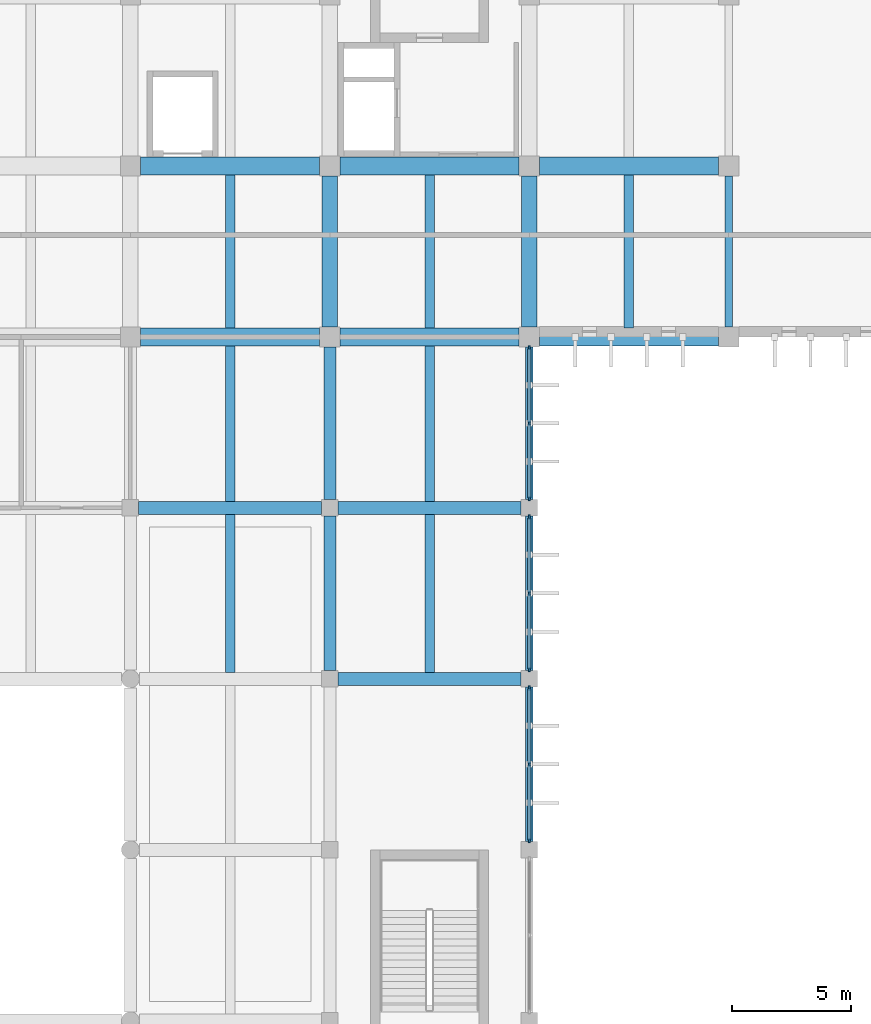
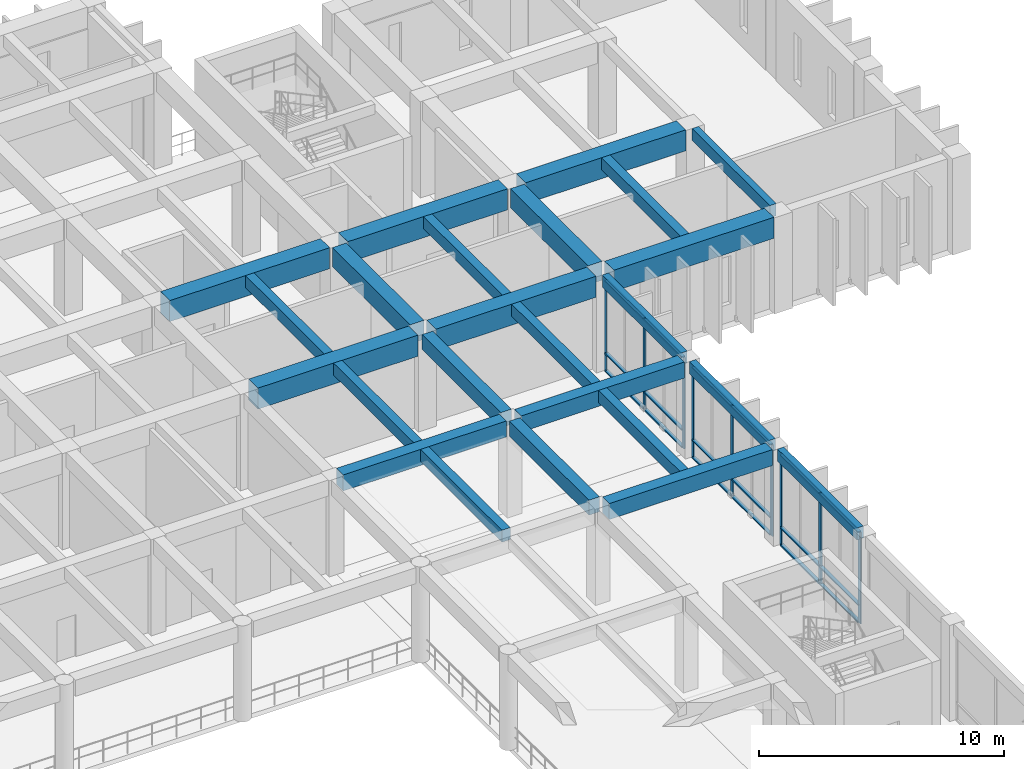
# One storey, part 21 of 51: 27 members, 24 beams, 3 elements without a shape of their own.
"""IFC4 building model written with IfcOpenShell, lengths in metres."""

from ifc_helpers import new_model, si_unit, direction, frame, origin, origin_2d, place, context, subcontext, project, spatial, rectangle, extrude, material, material_profile, profile_set, type_object, element, aggregate, save


model = new_model("IFC4")

# Units and contexts
model_context = context("Model", 3, precision=1e-05, world=origin(), true_north=direction((0.0, 1.0)))
body_context = subcontext(model_context, "Body", "Model", "MODEL_VIEW")
ifc_project = project(units=[si_unit("LENGTHUNIT", "METRE"), si_unit("AREAUNIT", "SQUARE_METRE"), si_unit("VOLUMEUNIT", "CUBIC_METRE"), si_unit("PLANEANGLEUNIT", "RADIAN"), si_unit("MASSUNIT", "GRAM", prefix="KILO")], contexts=[model_context])

# Site, building, storey
site_placement = place(None, origin())
site = spatial("IfcSite", under=ifc_project, at=site_placement, CompositionType="ELEMENT")
building_placement = place(site_placement, origin())
building = spatial("IfcBuilding", under=site, at=building_placement, Name="Kenerak Square Central Library", CompositionType="ELEMENT")
storey_placement = place(building_placement, frame((0.0, 0.0, 9.60009765625)))
storey = spatial("IfcBuildingStorey", under=building, at=storey_placement, Name="L02", CompositionType="ELEMENT", Elevation=9.60009765625)

# Beams
ifc_material_1 = material(Name="Concrete C45/55", Category="concrete")
ifc_material_profile_1 = material_profile(ifc_material_1, rectangle(XDim=0.64990234375, YDim=0.949951171875, at=origin_2d()), Name="RC 650x950")
ifc_profile_set_1 = profile_set([ifc_material_profile_1], Name="Concrete C45/55")
beam_type_1 = type_object("IfcBeamType", Name="Book Stack Girder B-02 RC 650x950 C45/55", PredefinedType="BEAM", material=ifc_profile_set_1)
for number, where, z_axis, x_axis, name in (
    (1, (108.800048828125, 89.22509765625, 4.324951171875), (0.0, 1.0, 0.0), (-1.0, 0.0, 0.0), "Beam B-02 L02 1339"),
    (2, (117.199951171875, 89.22509765625, 4.324951171875), (0.0, 1.0, 0.0), (-1.0, 0.0, 0.0), "Beam B-02 L02 1353"),
):
    element("IfcBeam", number, at=place(storey_placement, frame(where, z_axis=z_axis, x_axis=x_axis)), inside=storey, type_object=beam_type_1, Name=name, PredefinedType="BEAM", context=body_context, shape_type="SweptSolid", body=[
        extrude(rectangle(XDim=0.64990234375, YDim=0.949951171875, at=origin_2d()), origin(), (0.0, 0.0, 1.0), 6.349853515625),
    ])
ifc_material_profile_2 = material_profile(ifc_material_1, rectangle(XDim=0.75, YDim=1.050048828125, at=origin_2d()), Name="RC 750x1050")
ifc_profile_set_2 = profile_set([ifc_material_profile_2], Name="Concrete C45/55")
beam_type_2 = type_object("IfcBeamType", Name="Compact Stack Girder B-01 RC 750x1050 C45/55", PredefinedType="BEAM", material=ifc_profile_set_2)
beam_1_placement = place(storey_placement, frame((100.824951171875, 88.800048828125, 4.27490234375), z_axis=(1.0, 0.0, 0.0), x_axis=(0.0, 1.0, 0.0)))
element("IfcBeam", 3, at=beam_1_placement, inside=storey, type_object=beam_type_2, Name="Beam B-01 L02 1247", PredefinedType="BEAM", context=body_context, shape_type="SweptSolid", body=[
    extrude(rectangle(XDim=0.75, YDim=1.050048828125, at=origin_2d()), origin(), (0.0, 0.0, 1.0), 7.550048828125),
])
beam_2_placement = place(storey_placement, frame((109.22509765625, 88.800048828125, 4.27490234375), z_axis=(1.0, 0.0, 0.0), x_axis=(0.0, 1.0, 0.0)))
element("IfcBeam", 4, at=beam_2_placement, inside=storey, type_object=beam_type_2, Name="Beam B-01 L02 1248", PredefinedType="BEAM", context=body_context, shape_type="SweptSolid", body=[
    extrude(rectangle(XDim=0.75, YDim=1.050048828125, at=origin_2d()), origin(), (0.0, 0.0, 1.0), 7.5498046875),
])
for number, where, z_axis, x_axis, name in (
    (5, (117.625, 88.800048828125, 4.27490234375), (1.0, 0.0, 0.0), (0.0, 1.0, 0.0), "Beam B-01 L02 1249"),
    (6, (100.824951171875, 96.0, 4.27490234375), (1.0, 0.0, 0.0), (0.0, 1.0, 0.0), "Beam B-01 L02 1255"),
):
    element("IfcBeam", number, at=place(storey_placement, frame(where, z_axis=z_axis, x_axis=x_axis)), inside=storey, type_object=beam_type_2, Name=name, PredefinedType="BEAM", context=body_context, shape_type="SweptSolid", body=[
        extrude(rectangle(XDim=0.75, YDim=1.050048828125, at=origin_2d()), origin(), (0.0, 0.0, 1.0), 7.550048828125),
    ])
beam_3_placement = place(storey_placement, frame((109.22509765625, 96.0, 4.27490234375), z_axis=(1.0, 0.0, 0.0), x_axis=(0.0, 1.0, 0.0)))
element("IfcBeam", 7, at=beam_3_placement, inside=storey, type_object=beam_type_2, Name="Beam B-01 L02 1256", PredefinedType="BEAM", context=body_context, shape_type="SweptSolid", body=[
    extrude(rectangle(XDim=0.75, YDim=1.050048828125, at=origin_2d()), origin(), (0.0, 0.0, 1.0), 7.5498046875),
])
beam_4_placement = place(storey_placement, frame((117.625, 96.0, 4.27490234375), z_axis=(1.0, 0.0, 0.0), x_axis=(0.0, 1.0, 0.0)))
element("IfcBeam", 8, at=beam_4_placement, inside=storey, type_object=beam_type_2, Name="Beam B-01 L02 1257", PredefinedType="BEAM", context=body_context, shape_type="SweptSolid", body=[
    extrude(rectangle(XDim=0.75, YDim=1.050048828125, at=origin_2d()), origin(), (0.0, 0.0, 1.0), 7.550048828125),
])
ifc_material_2 = material(Name="Concrete C40/50", Category="concrete")
ifc_material_profile_3 = material_profile(ifc_material_2, rectangle(XDim=0.300048828125, YDim=0.60009765625, at=origin_2d()), Name="RC 300x600")
ifc_profile_set_3 = profile_set([ifc_material_profile_3], Name="Concrete C40/50")
beam_type_3 = type_object("IfcBeamType", Name="Courtyard Spandrel Beam SP-02 RC 300x600 C40/50", PredefinedType="SPANDREL", material=ifc_profile_set_3)
for number, where, z_axis, x_axis, name in (
    (9, (117.199951171875, 67.550048828125, 4.5), (0.0, 1.0, 0.0), (-1.0, 0.0, 0.0), "Beam SP-02 L02 1350"),
    (10, (117.199951171875, 74.75, 4.5), (0.0, 1.0, 0.0), (-1.0, 0.0, 0.0), "Beam SP-02 L02 1351"),
):
    element("IfcBeam", number, at=place(storey_placement, frame(where, z_axis=z_axis, x_axis=x_axis)), inside=storey, type_object=beam_type_3, Name=name, PredefinedType="SPANDREL", context=body_context, shape_type="SweptSolid", body=[
        extrude(rectangle(XDim=0.300048828125, YDim=0.60009765625, at=origin_2d()), origin(), (0.0, 0.0, 1.0), 6.5),
    ])
beam_5_placement = place(storey_placement, frame((117.199951171875, 81.949951171875, 4.5), z_axis=(0.0, 1.0, 0.0), x_axis=(-1.0, 0.0, 0.0)))
element("IfcBeam", 11, at=beam_5_placement, inside=storey, type_object=beam_type_3, Name="Beam SP-02 L02 1352", PredefinedType="SPANDREL", context=body_context, shape_type="SweptSolid", body=[
    extrude(rectangle(XDim=0.300048828125, YDim=0.60009765625, at=origin_2d()), origin(), (0.0, 0.0, 1.0), 6.425048828125),
])
beam_6_placement = place(storey_placement, frame((125.60009765625, 89.22509765625, 4.5), z_axis=(0.0, 1.0, 0.0), x_axis=(-1.0, 0.0, 0.0)))
element("IfcBeam", 12, at=beam_6_placement, inside=storey, type_object=beam_type_3, Name="Beam SP-02 L02 1359", PredefinedType="SPANDREL", context=body_context, shape_type="SweptSolid", body=[
    extrude(rectangle(XDim=0.300048828125, YDim=0.60009765625, at=origin_2d()), origin(), (0.0, 0.0, 1.0), 6.349853515625),
])

# Curtain wall, members
ifc_material_3 = material(Name="Anodised aluminium and solar-control low-E glazing", Category="aluminium")
curtain_wall_type_1 = type_object("IfcCurtainWallType", Name="Curtain Wall CW-V4-64x45 6425x4550", PredefinedType="USERDEFINED", material=ifc_material_3)
curtain_wall_1_placement = place(storey_placement, origin())
curtain_wall_1 = element("IfcCurtainWall", 13, at=curtain_wall_1_placement, inside=storey, type_object=curtain_wall_type_1, Name="Curtain Wall CW-V4-64x45 L02 0082", ObjectType="CURTAIN WALL", PredefinedType="USERDEFINED")
ifc_material_4 = material(Name="Anodised aluminium 6063-T6", Category="aluminium")
ifc_material_profile_4 = material_profile(ifc_material_4, rectangle(XDim=0.06494140625, YDim=0.179931640625, at=origin_2d()), Name="AL MULLION 65x180")
ifc_profile_set_4 = profile_set([ifc_material_profile_4], Name="Anodised aluminium 6063-T6")
member_type_1 = type_object("IfcMemberType", Name="Curtain Mullion CM-01 65x180", PredefinedType="MULLION", material=ifc_profile_set_4)
member_1_placement = place(storey_placement, frame((117.199951171875, 88.342529296875, 0.0), z_axis=(0.0, 0.0, 1.0), x_axis=(1.0, 0.0, 0.0)))
member_1 = element("IfcMember", 14, at=member_1_placement, type_object=member_type_1, Name="CW-V4-64x45 Mullion 1", PredefinedType="MULLION", context=body_context, shape_type="SweptSolid", body=[
    extrude(rectangle(XDim=0.06494140625, YDim=0.179931640625, at=origin_2d()), origin(), (0.0, 0.0, 1.0), 4.5498046875),
])
member_2_placement = place(storey_placement, frame((117.199951171875, 85.16259765625, 0.0), z_axis=(0.0, 0.0, 1.0), x_axis=(1.0, 0.0, 0.0)))
member_2 = element("IfcMember", 15, at=member_2_placement, type_object=member_type_1, Name="CW-V4-64x45 Mullion 2", PredefinedType="MULLION", context=body_context, shape_type="SweptSolid", body=[
    extrude(rectangle(XDim=0.06494140625, YDim=0.179931640625, at=origin_2d()), origin(), (0.0, 0.0, 1.0), 4.5498046875),
])
member_3_placement = place(storey_placement, frame((117.199951171875, 81.982421875, 0.0), z_axis=(0.0, 0.0, 1.0), x_axis=(1.0, 0.0, 0.0)))
member_3 = element("IfcMember", 16, at=member_3_placement, type_object=member_type_1, Name="CW-V4-64x45 Mullion 3", PredefinedType="MULLION", context=body_context, shape_type="SweptSolid", body=[
    extrude(rectangle(XDim=0.06494140625, YDim=0.179931640625, at=origin_2d()), origin(), (0.0, 0.0, 1.0), 4.5498046875),
])

curtain_wall_type_2 = type_object("IfcCurtainWallType", Name="Curtain Wall CW-V4-65x45 6500x4550", PredefinedType="USERDEFINED", material=ifc_material_3)
curtain_wall_2_placement = place(storey_placement, origin())
curtain_wall_2 = element("IfcCurtainWall", 17, at=curtain_wall_2_placement, inside=storey, type_object=curtain_wall_type_2, Name="Curtain Wall CW-V4-65x45 L02 0083", ObjectType="CURTAIN WALL", PredefinedType="USERDEFINED")
member_4_placement = place(storey_placement, frame((117.199951171875, 81.217529296875, 0.0), z_axis=(0.0, 0.0, 1.0), x_axis=(1.0, 0.0, 0.0)))
member_4 = element("IfcMember", 18, at=member_4_placement, type_object=member_type_1, Name="CW-V4-65x45 Mullion 1", PredefinedType="MULLION", context=body_context, shape_type="SweptSolid", body=[
    extrude(rectangle(XDim=0.06494140625, YDim=0.179931640625, at=origin_2d()), origin(), (0.0, 0.0, 1.0), 4.5498046875),
])
member_5_placement = place(storey_placement, frame((117.199951171875, 78.0, 0.0), z_axis=(0.0, 0.0, 1.0), x_axis=(1.0, 0.0, 0.0)))
member_5 = element("IfcMember", 19, at=member_5_placement, type_object=member_type_1, Name="CW-V4-65x45 Mullion 2", PredefinedType="MULLION", context=body_context, shape_type="SweptSolid", body=[
    extrude(rectangle(XDim=0.06494140625, YDim=0.179931640625, at=origin_2d()), origin(), (0.0, 0.0, 1.0), 4.5498046875),
])
member_6_placement = place(storey_placement, frame((117.199951171875, 74.782470703125, 0.0), z_axis=(0.0, 0.0, 1.0), x_axis=(1.0, 0.0, 0.0)))
member_6 = element("IfcMember", 20, at=member_6_placement, type_object=member_type_1, Name="CW-V4-65x45 Mullion 3", PredefinedType="MULLION", context=body_context, shape_type="SweptSolid", body=[
    extrude(rectangle(XDim=0.06494140625, YDim=0.179931640625, at=origin_2d()), origin(), (0.0, 0.0, 1.0), 4.5498046875),
])

curtain_wall_3_placement = place(storey_placement, origin())
curtain_wall_3 = element("IfcCurtainWall", 21, at=curtain_wall_3_placement, inside=storey, type_object=curtain_wall_type_2, Name="Curtain Wall CW-V4-65x45 L02 0084", ObjectType="CURTAIN WALL", PredefinedType="USERDEFINED")
member_7_placement = place(storey_placement, frame((117.199951171875, 74.017578125, 0.0), z_axis=(0.0, 0.0, 1.0), x_axis=(1.0, 0.0, 0.0)))
member_7 = element("IfcMember", 22, at=member_7_placement, type_object=member_type_1, Name="CW-V4-65x45 Mullion 1", PredefinedType="MULLION", context=body_context, shape_type="SweptSolid", body=[
    extrude(rectangle(XDim=0.06494140625, YDim=0.179931640625, at=origin_2d()), origin(), (0.0, 0.0, 1.0), 4.5498046875),
])
member_8_placement = place(storey_placement, frame((117.199951171875, 70.800048828125, 0.0), z_axis=(0.0, 0.0, 1.0), x_axis=(1.0, 0.0, 0.0)))
member_8 = element("IfcMember", 23, at=member_8_placement, type_object=member_type_1, Name="CW-V4-65x45 Mullion 2", PredefinedType="MULLION", context=body_context, shape_type="SweptSolid", body=[
    extrude(rectangle(XDim=0.06494140625, YDim=0.179931640625, at=origin_2d()), origin(), (0.0, 0.0, 1.0), 4.5498046875),
])
member_9_placement = place(storey_placement, frame((117.199951171875, 67.58251953125, 0.0), z_axis=(0.0, 0.0, 1.0), x_axis=(1.0, 0.0, 0.0)))
member_9 = element("IfcMember", 24, at=member_9_placement, type_object=member_type_1, Name="CW-V4-65x45 Mullion 3", PredefinedType="MULLION", context=body_context, shape_type="SweptSolid", body=[
    extrude(rectangle(XDim=0.06494140625, YDim=0.179931640625, at=origin_2d()), origin(), (0.0, 0.0, 1.0), 4.5498046875),
])

# Member
ifc_material_profile_5 = material_profile(ifc_material_4, rectangle(XDim=0.159912109375, YDim=0.06494140625, at=origin_2d()), Name="AL TRANSOM 160x65")
ifc_profile_set_5 = profile_set([ifc_material_profile_5], Name="Anodised aluminium 6063-T6")
member_type_2 = type_object("IfcMemberType", Name="Curtain Transom CT-11 160x65", PredefinedType="USERDEFINED", material=ifc_profile_set_5)
member_10_placement = place(storey_placement, frame((117.199951171875, 88.31005859375, 0.032470703125), z_axis=(0.0, -1.0, 0.0), x_axis=(1.0, 0.0, 0.0)))
member_10 = element("IfcMember", 25, at=member_10_placement, type_object=member_type_2, Name="CW-V4-64x45 Transom 1.1", ObjectType="TRANSOM", PredefinedType="USERDEFINED", context=body_context, shape_type="SweptSolid", body=[
    extrude(rectangle(XDim=0.159912109375, YDim=0.06494140625, at=origin_2d()), origin(), (0.0, 0.0, 1.0), 3.114990234375),
])

member_11_placement = place(storey_placement, frame((117.199951171875, 88.31005859375, 0.89990234375), z_axis=(0.0, -1.0, 0.0), x_axis=(1.0, 0.0, 0.0)))
member_11 = element("IfcMember", 26, at=member_11_placement, type_object=member_type_2, Name="CW-V4-64x45 Transom 1.2", ObjectType="TRANSOM", PredefinedType="USERDEFINED", context=body_context, shape_type="SweptSolid", body=[
    extrude(rectangle(XDim=0.159912109375, YDim=0.06494140625, at=origin_2d()), origin(), (0.0, 0.0, 1.0), 3.114990234375),
])

member_12_placement = place(storey_placement, frame((117.199951171875, 88.31005859375, 4.517333984375), z_axis=(0.0, -1.0, 0.0), x_axis=(1.0, 0.0, 0.0)))
member_12 = element("IfcMember", 27, at=member_12_placement, type_object=member_type_2, Name="CW-V4-64x45 Transom 1.3", ObjectType="TRANSOM", PredefinedType="USERDEFINED", context=body_context, shape_type="SweptSolid", body=[
    extrude(rectangle(XDim=0.159912109375, YDim=0.06494140625, at=origin_2d()), origin(), (0.0, 0.0, 1.0), 3.114990234375),
])

member_13_placement = place(storey_placement, frame((117.199951171875, 85.1298828125, 0.032470703125), z_axis=(0.0, -1.0, 0.0), x_axis=(1.0, 0.0, 0.0)))
member_13 = element("IfcMember", 28, at=member_13_placement, type_object=member_type_2, Name="CW-V4-64x45 Transom 2.1", ObjectType="TRANSOM", PredefinedType="USERDEFINED", context=body_context, shape_type="SweptSolid", body=[
    extrude(rectangle(XDim=0.159912109375, YDim=0.06494140625, at=origin_2d()), origin(), (0.0, 0.0, 1.0), 3.114990234375),
])

member_14_placement = place(storey_placement, frame((117.199951171875, 85.1298828125, 0.89990234375), z_axis=(0.0, -1.0, 0.0), x_axis=(1.0, 0.0, 0.0)))
member_14 = element("IfcMember", 29, at=member_14_placement, type_object=member_type_2, Name="CW-V4-64x45 Transom 2.2", ObjectType="TRANSOM", PredefinedType="USERDEFINED", context=body_context, shape_type="SweptSolid", body=[
    extrude(rectangle(XDim=0.159912109375, YDim=0.06494140625, at=origin_2d()), origin(), (0.0, 0.0, 1.0), 3.114990234375),
])

member_15_placement = place(storey_placement, frame((117.199951171875, 85.1298828125, 4.517333984375), z_axis=(0.0, -1.0, 0.0), x_axis=(1.0, 0.0, 0.0)))
member_15 = element("IfcMember", 30, at=member_15_placement, type_object=member_type_2, Name="CW-V4-64x45 Transom 2.3", ObjectType="TRANSOM", PredefinedType="USERDEFINED", context=body_context, shape_type="SweptSolid", body=[
    extrude(rectangle(XDim=0.159912109375, YDim=0.06494140625, at=origin_2d()), origin(), (0.0, 0.0, 1.0), 3.114990234375),
])

aggregate(curtain_wall_1, [member_1, member_2, member_3, member_10, member_11, member_12, member_13, member_14, member_15])

member_16_placement = place(storey_placement, frame((117.199951171875, 81.18505859375, 0.032470703125), z_axis=(0.0, -1.0, 0.0), x_axis=(1.0, 0.0, 0.0)))
member_16 = element("IfcMember", 31, at=member_16_placement, type_object=member_type_2, Name="CW-V4-65x45 Transom 1.1", ObjectType="TRANSOM", PredefinedType="USERDEFINED", context=body_context, shape_type="SweptSolid", body=[
    extrude(rectangle(XDim=0.159912109375, YDim=0.06494140625, at=origin_2d()), origin(), (0.0, 0.0, 1.0), 3.152587890625),
])

member_17_placement = place(storey_placement, frame((117.199951171875, 81.18505859375, 0.89990234375), z_axis=(0.0, -1.0, 0.0), x_axis=(1.0, 0.0, 0.0)))
member_17 = element("IfcMember", 32, at=member_17_placement, type_object=member_type_2, Name="CW-V4-65x45 Transom 1.2", ObjectType="TRANSOM", PredefinedType="USERDEFINED", context=body_context, shape_type="SweptSolid", body=[
    extrude(rectangle(XDim=0.159912109375, YDim=0.06494140625, at=origin_2d()), origin(), (0.0, 0.0, 1.0), 3.152587890625),
])

member_18_placement = place(storey_placement, frame((117.199951171875, 81.18505859375, 4.517333984375), z_axis=(0.0, -1.0, 0.0), x_axis=(1.0, 0.0, 0.0)))
member_18 = element("IfcMember", 33, at=member_18_placement, type_object=member_type_2, Name="CW-V4-65x45 Transom 1.3", ObjectType="TRANSOM", PredefinedType="USERDEFINED", context=body_context, shape_type="SweptSolid", body=[
    extrude(rectangle(XDim=0.159912109375, YDim=0.06494140625, at=origin_2d()), origin(), (0.0, 0.0, 1.0), 3.152587890625),
])

member_19_placement = place(storey_placement, frame((117.199951171875, 77.967529296875, 0.032470703125), z_axis=(0.0, -1.0, 0.0), x_axis=(1.0, 0.0, 0.0)))
member_19 = element("IfcMember", 34, at=member_19_placement, type_object=member_type_2, Name="CW-V4-65x45 Transom 2.1", ObjectType="TRANSOM", PredefinedType="USERDEFINED", context=body_context, shape_type="SweptSolid", body=[
    extrude(rectangle(XDim=0.159912109375, YDim=0.06494140625, at=origin_2d()), origin(), (0.0, 0.0, 1.0), 3.152587890625),
])

member_20_placement = place(storey_placement, frame((117.199951171875, 77.967529296875, 0.89990234375), z_axis=(0.0, -1.0, 0.0), x_axis=(1.0, 0.0, 0.0)))
member_20 = element("IfcMember", 35, at=member_20_placement, type_object=member_type_2, Name="CW-V4-65x45 Transom 2.2", ObjectType="TRANSOM", PredefinedType="USERDEFINED", context=body_context, shape_type="SweptSolid", body=[
    extrude(rectangle(XDim=0.159912109375, YDim=0.06494140625, at=origin_2d()), origin(), (0.0, 0.0, 1.0), 3.152587890625),
])

member_21_placement = place(storey_placement, frame((117.199951171875, 77.967529296875, 4.517333984375), z_axis=(0.0, -1.0, 0.0), x_axis=(1.0, 0.0, 0.0)))
member_21 = element("IfcMember", 36, at=member_21_placement, type_object=member_type_2, Name="CW-V4-65x45 Transom 2.3", ObjectType="TRANSOM", PredefinedType="USERDEFINED", context=body_context, shape_type="SweptSolid", body=[
    extrude(rectangle(XDim=0.159912109375, YDim=0.06494140625, at=origin_2d()), origin(), (0.0, 0.0, 1.0), 3.152587890625),
])

aggregate(curtain_wall_2, [member_4, member_5, member_6, member_16, member_17, member_18, member_19, member_20, member_21])

member_22_placement = place(storey_placement, frame((117.199951171875, 73.985107421875, 0.032470703125), z_axis=(0.0, -1.0, 0.0), x_axis=(1.0, 0.0, 0.0)))
member_22 = element("IfcMember", 37, at=member_22_placement, type_object=member_type_2, Name="CW-V4-65x45 Transom 1.1", ObjectType="TRANSOM", PredefinedType="USERDEFINED", context=body_context, shape_type="SweptSolid", body=[
    extrude(rectangle(XDim=0.159912109375, YDim=0.06494140625, at=origin_2d()), origin(), (0.0, 0.0, 1.0), 3.152587890625),
])

member_23_placement = place(storey_placement, frame((117.199951171875, 73.985107421875, 0.89990234375), z_axis=(0.0, -1.0, 0.0), x_axis=(1.0, 0.0, 0.0)))
member_23 = element("IfcMember", 38, at=member_23_placement, type_object=member_type_2, Name="CW-V4-65x45 Transom 1.2", ObjectType="TRANSOM", PredefinedType="USERDEFINED", context=body_context, shape_type="SweptSolid", body=[
    extrude(rectangle(XDim=0.159912109375, YDim=0.06494140625, at=origin_2d()), origin(), (0.0, 0.0, 1.0), 3.152587890625),
])

member_24_placement = place(storey_placement, frame((117.199951171875, 73.985107421875, 4.517333984375), z_axis=(0.0, -1.0, 0.0), x_axis=(1.0, 0.0, 0.0)))
member_24 = element("IfcMember", 39, at=member_24_placement, type_object=member_type_2, Name="CW-V4-65x45 Transom 1.3", ObjectType="TRANSOM", PredefinedType="USERDEFINED", context=body_context, shape_type="SweptSolid", body=[
    extrude(rectangle(XDim=0.159912109375, YDim=0.06494140625, at=origin_2d()), origin(), (0.0, 0.0, 1.0), 3.152587890625),
])

member_25_placement = place(storey_placement, frame((117.199951171875, 70.767578125, 0.032470703125), z_axis=(0.0, -1.0, 0.0), x_axis=(1.0, 0.0, 0.0)))
member_25 = element("IfcMember", 40, at=member_25_placement, type_object=member_type_2, Name="CW-V4-65x45 Transom 2.1", ObjectType="TRANSOM", PredefinedType="USERDEFINED", context=body_context, shape_type="SweptSolid", body=[
    extrude(rectangle(XDim=0.159912109375, YDim=0.06494140625, at=origin_2d()), origin(), (0.0, 0.0, 1.0), 3.152587890625),
])

member_26_placement = place(storey_placement, frame((117.199951171875, 70.767578125, 0.89990234375), z_axis=(0.0, -1.0, 0.0), x_axis=(1.0, 0.0, 0.0)))
member_26 = element("IfcMember", 41, at=member_26_placement, type_object=member_type_2, Name="CW-V4-65x45 Transom 2.2", ObjectType="TRANSOM", PredefinedType="USERDEFINED", context=body_context, shape_type="SweptSolid", body=[
    extrude(rectangle(XDim=0.159912109375, YDim=0.06494140625, at=origin_2d()), origin(), (0.0, 0.0, 1.0), 3.152587890625),
])

member_27_placement = place(storey_placement, frame((117.199951171875, 70.767578125, 4.517333984375), z_axis=(0.0, -1.0, 0.0), x_axis=(1.0, 0.0, 0.0)))
member_27 = element("IfcMember", 42, at=member_27_placement, type_object=member_type_2, Name="CW-V4-65x45 Transom 2.3", ObjectType="TRANSOM", PredefinedType="USERDEFINED", context=body_context, shape_type="SweptSolid", body=[
    extrude(rectangle(XDim=0.159912109375, YDim=0.06494140625, at=origin_2d()), origin(), (0.0, 0.0, 1.0), 3.152587890625),
])

aggregate(curtain_wall_3, [member_7, member_8, member_9, member_22, member_23, member_24, member_25, member_26, member_27])

# Beams
ifc_material_profile_6 = material_profile(ifc_material_2, rectangle(XDim=0.550048828125, YDim=0.800048828125, at=origin_2d()), Name="RC 550x800")
ifc_profile_set_6 = profile_set([ifc_material_profile_6], Name="Concrete C40/50")
beam_type_4 = type_object("IfcBeamType", Name="Primary Reading Beam B-04 RC 550x800 C40/50", PredefinedType="BEAM", material=ifc_profile_set_6)
beam_7_placement = place(storey_placement, frame((109.14990234375, 74.39990234375, 4.39990234375), z_axis=(1.0, 0.0, 0.0), x_axis=(0.0, 1.0, 0.0)))
element("IfcBeam", 43, at=beam_7_placement, inside=storey, type_object=beam_type_4, Name="Beam B-04 L02 1235", PredefinedType="BEAM", context=body_context, shape_type="SweptSolid", body=[
    extrude(rectangle(XDim=0.550048828125, YDim=0.800048828125, at=origin_2d()), origin(), (0.0, 0.0, 1.0), 7.7001953125),
])
beam_8_placement = place(storey_placement, frame((100.75, 81.60009765625, 4.39990234375), z_axis=(1.0, 0.0, 0.0), x_axis=(0.0, 1.0, 0.0)))
element("IfcBeam", 44, at=beam_8_placement, inside=storey, type_object=beam_type_4, Name="Beam B-04 L02 1240", PredefinedType="BEAM", context=body_context, shape_type="SweptSolid", body=[
    extrude(rectangle(XDim=0.550048828125, YDim=0.800048828125, at=origin_2d()), origin(), (0.0, 0.0, 1.0), 7.699951171875),
])
beam_9_placement = place(storey_placement, frame((109.14990234375, 81.60009765625, 4.39990234375), z_axis=(1.0, 0.0, 0.0), x_axis=(0.0, 1.0, 0.0)))
element("IfcBeam", 45, at=beam_9_placement, inside=storey, type_object=beam_type_4, Name="Beam B-04 L02 1241", PredefinedType="BEAM", context=body_context, shape_type="SweptSolid", body=[
    extrude(rectangle(XDim=0.550048828125, YDim=0.800048828125, at=origin_2d()), origin(), (0.0, 0.0, 1.0), 7.7001953125),
])
ifc_material_profile_7 = material_profile(ifc_material_2, rectangle(XDim=0.39990234375, YDim=0.60009765625, at=origin_2d()), Name="RC 400x600")
ifc_profile_set_7 = profile_set([ifc_material_profile_7], Name="Concrete C40/50")
beam_type_5 = type_object("IfcBeamType", Name="Secondary Floor Joist J-01 RC 400x600 C40/50", PredefinedType="JOIST", material=ifc_profile_set_7)
beam_10_placement = place(storey_placement, frame((104.60009765625, 74.675048828125, 4.5), z_axis=(0.0, 1.0, 0.0), x_axis=(-1.0, 0.0, 0.0)))
element("IfcBeam", 46, at=beam_10_placement, inside=storey, type_object=beam_type_5, Name="Joist J-01 L02 1403", PredefinedType="JOIST", context=body_context, shape_type="SweptSolid", body=[
    extrude(rectangle(XDim=0.39990234375, YDim=0.60009765625, at=origin_2d()), origin(), (0.0, 0.0, 1.0), 6.64990234375),
])
beam_11_placement = place(storey_placement, frame((104.60009765625, 81.875, 4.5), z_axis=(0.0, 1.0, 0.0), x_axis=(-1.0, 0.0, 0.0)))
element("IfcBeam", 47, at=beam_11_placement, inside=storey, type_object=beam_type_5, Name="Joist J-01 L02 1404", PredefinedType="JOIST", context=body_context, shape_type="SweptSolid", body=[
    extrude(rectangle(XDim=0.39990234375, YDim=0.60009765625, at=origin_2d()), origin(), (0.0, 0.0, 1.0), 6.550048828125),
])
beam_12_placement = place(storey_placement, frame((104.60009765625, 89.175048828125, 4.5), z_axis=(0.0, 1.0, 0.0), x_axis=(-1.0, 0.0, 0.0)))
element("IfcBeam", 48, at=beam_12_placement, inside=storey, type_object=beam_type_5, Name="Joist J-01 L02 1405", PredefinedType="JOIST", context=body_context, shape_type="SweptSolid", body=[
    extrude(rectangle(XDim=0.39990234375, YDim=0.60009765625, at=origin_2d()), origin(), (0.0, 0.0, 1.0), 6.449951171875),
])
beam_13_placement = place(storey_placement, frame((113.0, 74.675048828125, 4.5), z_axis=(0.0, 1.0, 0.0), x_axis=(-1.0, 0.0, 0.0)))
element("IfcBeam", 49, at=beam_13_placement, inside=storey, type_object=beam_type_5, Name="Joist J-01 L02 1410", PredefinedType="JOIST", context=body_context, shape_type="SweptSolid", body=[
    extrude(rectangle(XDim=0.39990234375, YDim=0.60009765625, at=origin_2d()), origin(), (0.0, 0.0, 1.0), 6.64990234375),
])
beam_14_placement = place(storey_placement, frame((113.0, 81.875, 4.5), z_axis=(0.0, 1.0, 0.0), x_axis=(-1.0, 0.0, 0.0)))
element("IfcBeam", 50, at=beam_14_placement, inside=storey, type_object=beam_type_5, Name="Joist J-01 L02 1411", PredefinedType="JOIST", context=body_context, shape_type="SweptSolid", body=[
    extrude(rectangle(XDim=0.39990234375, YDim=0.60009765625, at=origin_2d()), origin(), (0.0, 0.0, 1.0), 6.550048828125),
])
for number, where, z_axis, x_axis, name in (
    (51, (113.0, 89.175048828125, 4.5), (0.0, 1.0, 0.0), (-1.0, 0.0, 0.0), "Joist J-01 L02 1412"),
    (52, (121.39990234375, 89.175048828125, 4.5), (0.0, 1.0, 0.0), (-1.0, 0.0, 0.0), "Joist J-01 L02 1416"),
):
    element("IfcBeam", number, at=place(storey_placement, frame(where, z_axis=z_axis, x_axis=x_axis)), inside=storey, type_object=beam_type_5, Name=name, PredefinedType="JOIST", context=body_context, shape_type="SweptSolid", body=[
        extrude(rectangle(XDim=0.39990234375, YDim=0.60009765625, at=origin_2d()), origin(), (0.0, 0.0, 1.0), 6.449951171875),
    ])
ifc_material_profile_8 = material_profile(ifc_material_2, rectangle(XDim=0.5, YDim=0.75, at=origin_2d()), Name="RC 500x750")
ifc_profile_set_8 = profile_set([ifc_material_profile_8], Name="Concrete C40/50")
beam_type_6 = type_object("IfcBeamType", Name="Transverse Frame Beam B-05 RC 500x750 C40/50", PredefinedType="BEAM", material=ifc_profile_set_8)
beam_15_placement = place(storey_placement, frame((108.800048828125, 74.75, 4.4248046875), z_axis=(0.0, 1.0, 0.0), x_axis=(-1.0, 0.0, 0.0)))
element("IfcBeam", 53, at=beam_15_placement, inside=storey, type_object=beam_type_6, Name="Beam B-05 L02 1337", PredefinedType="BEAM", context=body_context, shape_type="SweptSolid", body=[
    extrude(rectangle(XDim=0.5, YDim=0.75, at=origin_2d()), origin(), (0.0, 0.0, 1.0), 6.5),
])
beam_16_placement = place(storey_placement, frame((108.800048828125, 81.949951171875, 4.4248046875), z_axis=(0.0, 1.0, 0.0), x_axis=(-1.0, 0.0, 0.0)))
element("IfcBeam", 54, at=beam_16_placement, inside=storey, type_object=beam_type_6, Name="Beam B-05 L02 1338", PredefinedType="BEAM", context=body_context, shape_type="SweptSolid", body=[
    extrude(rectangle(XDim=0.5, YDim=0.75, at=origin_2d()), origin(), (0.0, 0.0, 1.0), 6.425048828125),
])

save(model, "model.ifc")
